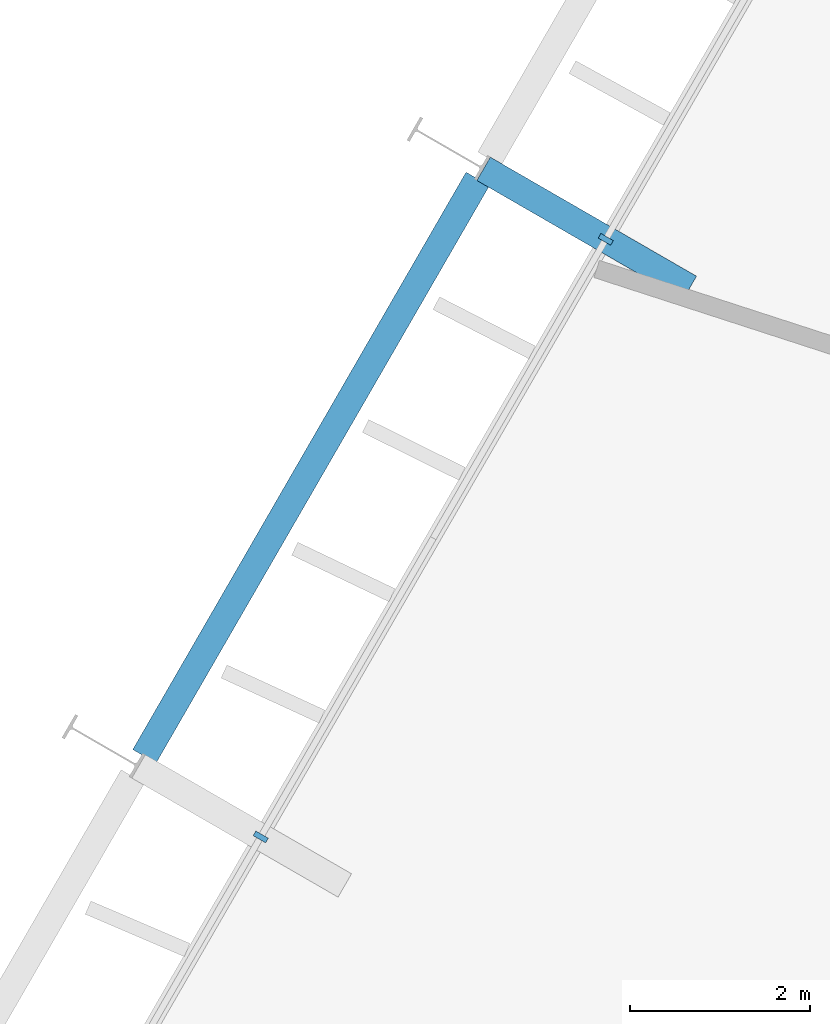
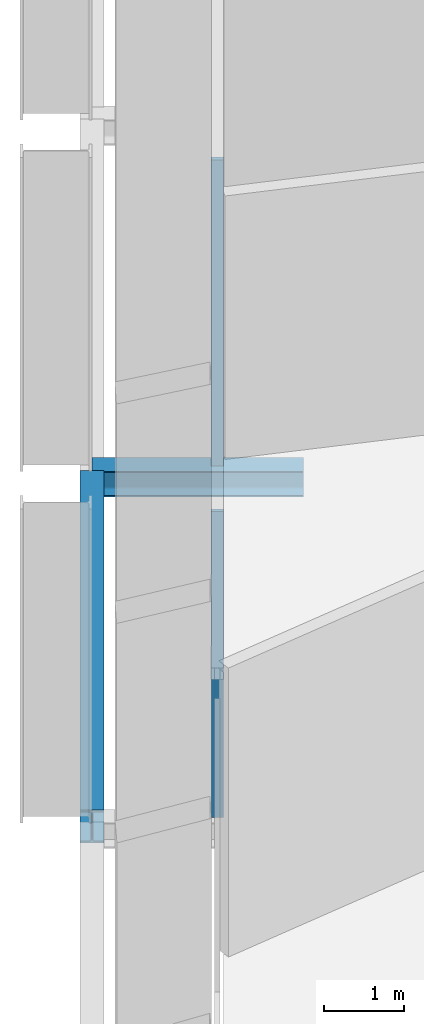
# One storey, part 5 of 17: 2 beams, 2 members, 1 element without a shape of its own.
"""IFC4 building model written with IfcOpenShell, lengths in metres."""

from ifc_helpers import new_model, si_unit, direction, frame, origin, origin_2d, place, context, subcontext, project, spatial, rectangle, i_section, extrude, material, layer, layer_set, material_profile, profile_set, type_object, element, aggregate, save


model = new_model("IFC4")

# Units and contexts
model_context = context("Model", 3, precision=1e-05, world=origin(), true_north=direction((0.0, 1.0)))
body_context = subcontext(model_context, "Body", "Model", "MODEL_VIEW")
ifc_project = project(units=[si_unit("LENGTHUNIT", "METRE"), si_unit("AREAUNIT", "SQUARE_METRE"), si_unit("VOLUMEUNIT", "CUBIC_METRE"), si_unit("PLANEANGLEUNIT", "RADIAN"), si_unit("MASSUNIT", "GRAM", prefix="KILO")], contexts=[model_context])

# Site, building, storey
site_placement = place(None, origin())
site = spatial("IfcSite", under=ifc_project, at=site_placement, CompositionType="ELEMENT")
building_placement = place(site_placement, origin())
building = spatial("IfcBuilding", under=site, at=building_placement, Name="Spindle Arch Residences", CompositionType="ELEMENT")
storey_placement = place(building_placement, frame((0.0, 0.0, 18.60009765625)))
storey = spatial("IfcBuildingStorey", under=building, at=storey_placement, Name="L03", CompositionType="ELEMENT", Elevation=18.60009765625)

# Curtain wall, members
ifc_material_1 = material(Name="Aluminium bronze unitised frame with tinted glass", Category="aluminium")
ifc_layer = layer(ifc_material_1, 0.159912109375)
ifc_layer_set = layer_set([ifc_layer], Name="CW-B amenity podium glazed wall")
curtain_wall_type = type_object("IfcCurtainWallType", Name="CW-B amenity podium glazed wall", PredefinedType="NOTDEFINED", material=ifc_layer_set)
curtain_wall_placement = place(storey_placement, origin())
curtain_wall = element("IfcCurtainWall", 1, at=curtain_wall_placement, inside=storey, type_object=curtain_wall_type, Name="CW-B L03 run 4", PredefinedType="NOTDEFINED")
ifc_material_2 = material(Name="Aluminium bronze anodised mullion", Category="aluminium")
ifc_material_profile_1 = material_profile(ifc_material_2, rectangle(XDim=0.159912109375, YDim=0.06005859375, at=origin_2d()), Name="MU 60x160")
ifc_profile_set_1 = profile_set([ifc_material_profile_1], Name="Aluminium bronze anodised mullion")
member_type = type_object("IfcMemberType", Name="Bronze mullion 60x160", PredefinedType="MULLION", material=ifc_profile_set_1)
member_1_placement = place(storey_placement, frame((-18.9892578125, 6.529296875, -0.380126953125), z_axis=(0.0, 0.0, 1.0), x_axis=(0.866025403784, -0.5, 0.0)))
member_1 = element("IfcMember", 2, at=member_1_placement, type_object=member_type, Name="CW-B mullion 16", PredefinedType="MULLION", context=body_context, shape_type="SweptSolid", body=[
    extrude(rectangle(XDim=0.159912109375, YDim=0.06005859375, at=origin_2d()), origin(), (0.0, 0.0, 1.0), 4.679931640625),
])
member_2_placement = place(storey_placement, frame((-22.829345703125, -0.121826171875, -0.380126953125), z_axis=(0.0, 0.0, 1.0), x_axis=(0.866025403784, -0.5, 0.0)))
member_2 = element("IfcMember", 3, at=member_2_placement, type_object=member_type, Name="CW-B mullion 17", PredefinedType="MULLION", context=body_context, shape_type="SweptSolid", body=[
    extrude(rectangle(XDim=0.159912109375, YDim=0.06005859375, at=origin_2d()), origin(), (0.0, 0.0, 1.0), 4.679931640625),
])
aggregate(curtain_wall, [member_1, member_2])

# Beams
ifc_material_3 = material(Name="Steel S460ML, intumescent coating R 120", Category="steel")
ifc_material_profile_2 = material_profile(ifc_material_3, i_section(OverallWidth=0.300048828125, OverallDepth=0.5, WebThickness=0.014404296875, FlangeThickness=0.028076171875, FilletRadius=0.027099609375, at=origin_2d()), Name="HEB 500")
ifc_profile_set_2 = profile_set([ifc_material_profile_2], Name="Steel S460ML, intumescent coating R 120")
beam_type_1 = type_object("IfcBeamType", Name="Exoskeleton edge beam HEB 500", PredefinedType="BEAM", material=ifc_profile_set_2)
beam_1_placement = place(storey_placement, frame((-20.4140625, 7.201904296875, -0.630126953125), z_axis=(-0.49998923004, -0.866031621735, 0.0), x_axis=(0.866031621735, -0.49998923004, 0.0)))
element("IfcBeam", 4, at=beam_1_placement, inside=storey, type_object=beam_type_1, Name="Exoskeleton edge beam 17", PredefinedType="BEAM", context=body_context, shape_type="SweptSolid", body=[
    extrude(i_section(OverallWidth=0.300048828125, OverallDepth=0.5, WebThickness=0.014404296875, FlangeThickness=0.028076171875, FilletRadius=0.027099609375, at=origin_2d()), origin(), (0.0, 0.0, 1.0), 7.420166015625),
])
ifc_material_4 = material(Name="Steel S460ML, intumescent coating R 120", Category="steel")
ifc_material_profile_3 = material_profile(ifc_material_4, i_section(OverallWidth=0.300048828125, OverallDepth=0.389892578125, WebThickness=0.010986328125, FlangeThickness=0.01904296875, FilletRadius=0.027099609375, at=origin_2d()), Name="HEA 400")
ifc_profile_set_3 = profile_set([ifc_material_profile_3], Name="Steel S460ML, intumescent coating R 120")
beam_type_2 = type_object("IfcBeamType", Name="Floor outrigger HEA 400", PredefinedType="BEAM", material=ifc_profile_set_3)
beam_2_placement = place(storey_placement, frame((-20.34912109375, 7.314453125, -0.5751953125), z_axis=(0.866052124492, -0.499953715521, 0.0), x_axis=(0.499953715521, 0.866052124492, 0.0)))
element("IfcBeam", 5, at=beam_2_placement, inside=storey, type_object=beam_type_2, Name="Floor outrigger 17", PredefinedType="BEAM", context=body_context, shape_type="SweptSolid", body=[
    extrude(i_section(OverallWidth=0.300048828125, OverallDepth=0.389892578125, WebThickness=0.010986328125, FlangeThickness=0.01904296875, FilletRadius=0.027099609375, at=origin_2d()), origin(), (0.0, 0.0, 1.0), 2.650146484375),
])

save(model, "model.ifc")
